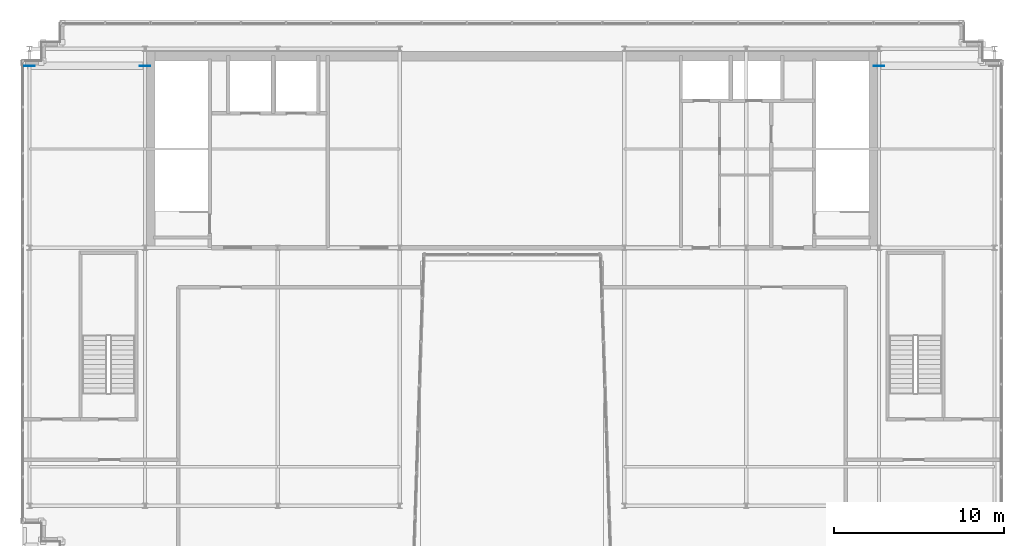
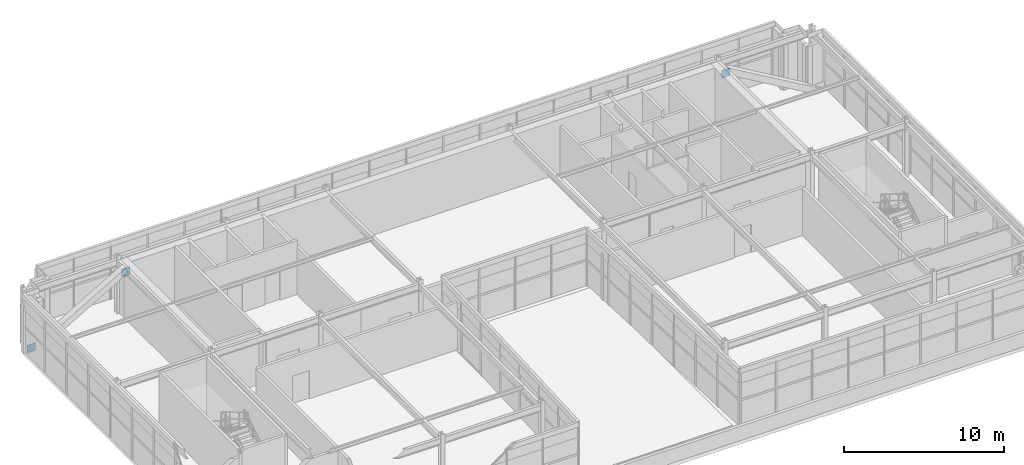
# One storey, part 31 of 37: 3 plates.
"""IFC4 building model written with IfcOpenShell, lengths in metres."""

from ifc_helpers import new_model, si_unit, direction, frame, origin, origin_2d, place, context, subcontext, project, spatial, rectangle, extrude, source, transform, mapped, material, layer, layer_set, type_object, element, save


model = new_model("IFC4")

# Units and contexts
model_context = context("Model", 3, precision=1e-05, world=origin(), true_north=direction((0.0, 1.0)))
body_context = subcontext(model_context, "Body", "Model", "MODEL_VIEW")
ifc_project = project(units=[si_unit("LENGTHUNIT", "METRE"), si_unit("AREAUNIT", "SQUARE_METRE"), si_unit("VOLUMEUNIT", "CUBIC_METRE"), si_unit("PLANEANGLEUNIT", "RADIAN"), si_unit("MASSUNIT", "GRAM", prefix="KILO")], contexts=[model_context])

# Site, building, storey
site_placement = place(None, origin())
site = spatial("IfcSite", under=ifc_project, at=site_placement, CompositionType="ELEMENT")
building_placement = place(site_placement, origin())
building = spatial("IfcBuilding", under=site, at=building_placement, Name="Trelvane Seafront Commons", CompositionType="ELEMENT")
storey_placement = place(building_placement, frame((0.0, 0.0, 303.5)))
storey = spatial("IfcBuildingStorey", under=building, at=storey_placement, Name="L79", CompositionType="ELEMENT", Elevation=303.5)

# Plates
ifc_material = material(Name="Steel SM355 (S355)", Category="steel")
ifc_layer = layer(ifc_material, 0.031982421875, Name="STR-PLT-GUS2")
ifc_layer_set = layer_set([ifc_layer], Name="Steel SM355 (S355)")
plate_type = type_object("IfcPlateType", Name="STR-PLT-GUS2", PredefinedType="SHEET", material=ifc_layer_set)
shared_shape = source(origin(), body_context, "Body", "SweptSolid", [
    extrude(rectangle(XDim=0.60009765625, YDim=0.031982421875, at=origin_2d()), origin(), (0.0, 0.0, 1.0), 0.60009765625),
])
for number, where, z_axis, x_axis, name in (
    (1, (8.800048828125, 44.10009765625, -0.02001953125), (0.0, 0.0, 1.0), (1.0, 0.0, 0.0), "L79 Brace Connection Gusset Plate GP-123"),
    (2, (15.60009765625, 44.10009765625, 3.39990234375), (0.0, 0.0, 1.0), (1.0, 0.0, 0.0), "L79 Brace Connection Gusset Plate GP-124"),
    (3, (58.800048828125, 44.10009765625, 3.39990234375), (0.0, 0.0, 1.0), (1.0, 0.0, 0.0), "L79 Brace Connection Gusset Plate GP-126"),
):
    element("IfcPlate", number, at=place(storey_placement, frame(where, z_axis=z_axis, x_axis=x_axis)), inside=storey, type_object=plate_type, Name=name, PredefinedType="SHEET", context=body_context, shape_type="MappedRepresentation", body=[
        mapped(shared_shape, transform((0.0, 0.0, 0.0), x_axis=(1.0, 0.0, 0.0), y_axis=(0.0, 1.0, 0.0), z_axis=(0.0, 0.0, 1.0), scale=1.0)),
    ])

save(model, "model.ifc")
